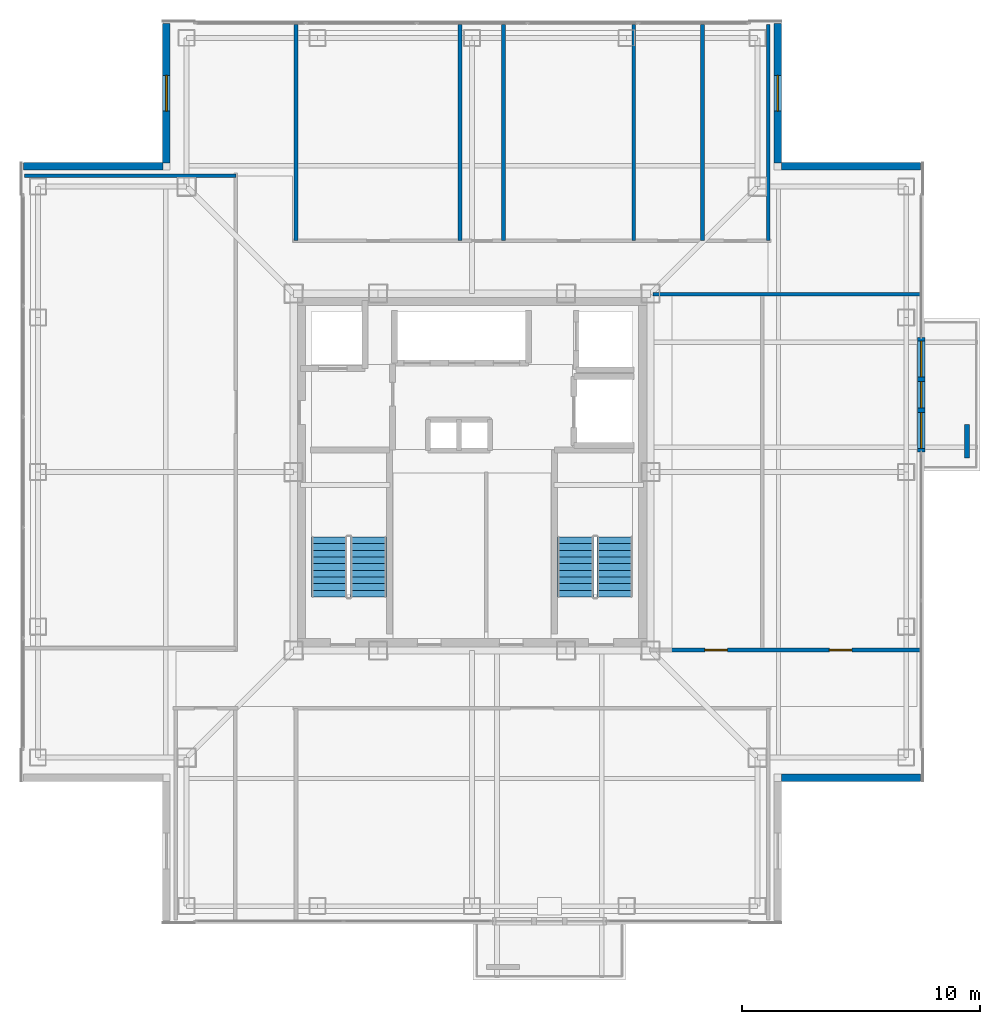
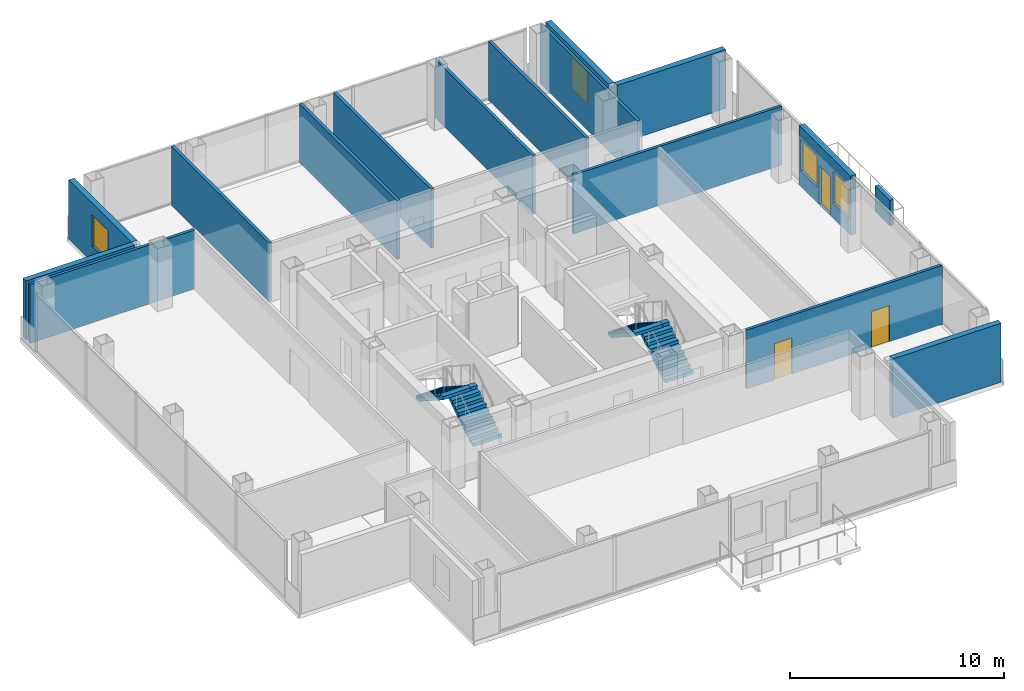
# One storey, part 9 of 15: 16 walls, 4 stair flights, 4 windows, 3 doors, 7 openings, 2 elements without a shape of their own.
"""IFC4 building model written with IfcOpenShell, lengths in metres."""

from ifc_helpers import new_model, si_unit, direction, frame, frame_2d, origin, place, context, subcontext, project, spatial, polyline, rectangle, outline, extrude, material, layer, layer_set, type_object, element, fill, aggregate, save


model = new_model("IFC4")

# Units and contexts
model_context = context("Model", 3, precision=1e-05, world=origin(), true_north=direction((0.0, 1.0)))
body_context = subcontext(model_context, "Body", "Model", "MODEL_VIEW")
ifc_project = project(units=[si_unit("LENGTHUNIT", "METRE"), si_unit("AREAUNIT", "SQUARE_METRE"), si_unit("VOLUMEUNIT", "CUBIC_METRE"), si_unit("PLANEANGLEUNIT", "RADIAN"), si_unit("MASSUNIT", "GRAM", prefix="KILO")], contexts=[model_context])

# Site, building, storey
site_placement = place(None, origin())
site = spatial("IfcSite", under=ifc_project, at=site_placement, CompositionType="ELEMENT")
building_placement = place(site_placement, origin())
building = spatial("IfcBuilding", under=site, at=building_placement, Name="Trevonay Congress Spire", CompositionType="ELEMENT")
storey_placement = place(building_placement, frame((0.0, 0.0, 243.199951171875)))
storey = spatial("IfcBuildingStorey", under=building, at=storey_placement, Name="L63", CompositionType="ELEMENT", Elevation=243.199951171875)

# Wall, openings, doors
ifc_material_1 = material(Name="Concrete C40/50", Category="concrete")
ifc_layer_1 = layer(ifc_material_1, 0.14990234375, Name="Concrete C40/50")
ifc_layer_set_1 = layer_set([ifc_layer_1], Name="Concrete C40/50")
wall_type_1 = type_object("IfcWallType", Name="WAL-CORR-150", PredefinedType="PARTITIONING", material=ifc_layer_set_1)
wall_1_placement = place(storey_placement, frame((8.280029296875, -7.47998046875, 0.0), z_axis=(0.0, 0.0, 1.0), x_axis=(1.0, 0.0, 0.0)))
wall_1 = element("IfcWall", 1, at=wall_1_placement, inside=storey, type_object=wall_type_1, Name="L63 interior wall WP-L63E-COR", PredefinedType="PARTITIONING", context=body_context, shape_type="SweptSolid", body=[
    extrude(rectangle(XDim=10.5400390625, YDim=0.14990234375, at=frame_2d((5.27001953125, 0.0))), origin(), (0.0, 0.0, 1.0), 3.360107421875),
])
opening_1_placement = place(wall_1_placement, frame((1.5048828125, 0.0, 0.0)))
opening_1 = element("IfcOpeningElement", 2, at=opening_1_placement, cuts=wall_1, Name="Opening D07", PredefinedType="OPENING", context=body_context, shape_type="SweptSolid", body=[
    extrude(rectangle(XDim=0.949951171875, YDim=2.06005859375, at=frame_2d((0.47509765625, 1.030029296875))), frame((0.0, 0.0849609375, 0.0), z_axis=(0.0, -1.0, 0.0), x_axis=(1.0, 0.0, 0.0)), (0.0, 0.0, 1.0), 0.169921875),
])
opening_2_placement = place(wall_1_placement, frame((6.735107421875, 0.0, 0.0)))
opening_2 = element("IfcOpeningElement", 3, at=opening_2_placement, cuts=wall_1, Name="Opening D07", PredefinedType="OPENING", context=body_context, shape_type="SweptSolid", body=[
    extrude(rectangle(XDim=0.949951171875, YDim=2.06005859375, at=frame_2d((0.47509765625, 1.030029296875))), frame((0.0, 0.0849609375, 0.0), z_axis=(0.0, -1.0, 0.0), x_axis=(1.0, 0.0, 0.0)), (0.0, 0.0, 1.0), 0.169921875),
])
ifc_material_2 = material(Name="Pale Anodised Aluminium EN AW-6063-T6", Category="aluminium")
door_type_1 = type_object("IfcDoorType", Name="DOR-OFFICE-95", OperationType="NOTDEFINED", PredefinedType="DOOR", material=ifc_material_2)
door_1_placement = place(opening_1_placement, origin())
door_1 = element("IfcDoor", 4, at=door_1_placement, inside=storey, type_object=door_type_1, Name="L63 Executive Study Office Door", OperationType="SINGLE_SWING_RIGHT", OverallHeight=2.06005859375, OverallWidth=0.949951171875, PredefinedType="DOOR", context=body_context, shape_type="SweptSolid", body=[
    extrude(rectangle(XDim=0.949951171875, YDim=2.06005859375, at=frame_2d((0.47509765625, 1.030029296875))), frame((0.0, 0.02490234375, 0.0), z_axis=(0.0, -1.0, 0.0), x_axis=(1.0, 0.0, 0.0)), (0.0, 0.0, 1.0), 0.050048828125),
])
fill(opening_1, door_1)
door_2_placement = place(opening_2_placement, origin())
door_2 = element("IfcDoor", 5, at=door_2_placement, inside=storey, type_object=door_type_1, Name="L63 Catering Pantry Door", OperationType="SINGLE_SWING_LEFT", OverallHeight=2.06005859375, OverallWidth=0.949951171875, PredefinedType="DOOR", context=body_context, shape_type="SweptSolid", body=[
    extrude(rectangle(XDim=0.949951171875, YDim=2.06005859375, at=frame_2d((0.47509765625, 1.030029296875))), frame((0.0, 0.02490234375, 0.0), z_axis=(0.0, -1.0, 0.0), x_axis=(1.0, 0.0, 0.0)), (0.0, 0.0, 1.0), 0.050048828125),
])
fill(opening_2, door_2)

# Wall, openings, door, windows
ifc_material_3 = material(Name="Precast concrete C40/50", Category="concrete")
ifc_layer_2 = layer(ifc_material_3, 0.300048828125, Name="Precast concrete C40/50")
ifc_layer_set_2 = layer_set([ifc_layer_2], Name="Precast concrete C40/50")
wall_type_2 = type_object("IfcWallType", Name="WAL-EXT-PRECAST-300", PredefinedType="SOLIDWALL", material=ifc_layer_set_2)
wall_2_placement = place(storey_placement, frame((18.8798828125, 0.85009765625, 0.0), z_axis=(0.0, 0.0, 1.0), x_axis=(0.0, 1.0, 0.0)))
wall_2 = element("IfcWall", 6, at=wall_2_placement, inside=storey, type_object=wall_type_2, Name="L63 E glazed balcony portal exterior wall", PredefinedType="SOLIDWALL", context=body_context, shape_type="SweptSolid", body=[
    extrude(rectangle(XDim=4.7998046875, YDim=0.300048828125, at=frame_2d((2.39990234375, 0.0))), origin(), (0.0, 0.0, 1.0), 3.360107421875),
])
opening_3_placement = place(wall_2_placement, frame((1.85009765625, 0.0, 0.0)))
opening_3 = element("IfcOpeningElement", 7, at=opening_3_placement, cuts=wall_2, Name="Opening D03", PredefinedType="OPENING", context=body_context, shape_type="SweptSolid", body=[
    extrude(rectangle(XDim=1.10009765625, YDim=2.199951171875, at=frame_2d((0.550048828125, 1.10009765625))), frame((0.0, 0.16015625, 0.0), z_axis=(0.0, -1.0, 0.0), x_axis=(1.0, 0.0, 0.0)), (0.0, 0.0, 1.0), 0.320068359375),
])
opening_4_placement = place(wall_2_placement, frame((0.14990234375, 0.0, 0.85009765625)))
opening_4 = element("IfcOpeningElement", 8, at=opening_4_placement, cuts=wall_2, Name="Opening WN03", PredefinedType="OPENING", context=body_context, shape_type="SweptSolid", body=[
    extrude(rectangle(XDim=1.5, YDim=1.800048828125, at=frame_2d((0.75, 0.89990234375))), frame((0.0, 0.16015625, 0.0), z_axis=(0.0, -1.0, 0.0), x_axis=(1.0, 0.0, 0.0)), (0.0, 0.0, 1.0), 0.320068359375),
])
opening_5_placement = place(wall_2_placement, frame((3.14990234375, 0.0, 0.85009765625)))
opening_5 = element("IfcOpeningElement", 9, at=opening_5_placement, cuts=wall_2, Name="Opening WN03", PredefinedType="OPENING", context=body_context, shape_type="SweptSolid", body=[
    extrude(rectangle(XDim=1.5, YDim=1.800048828125, at=frame_2d((0.75, 0.89990234375))), frame((0.0, 0.16015625, 0.0), z_axis=(0.0, -1.0, 0.0), x_axis=(1.0, 0.0, 0.0)), (0.0, 0.0, 1.0), 0.320068359375),
])
door_type_2 = type_object("IfcDoorType", Name="DOR-EXT-BAL-110", OperationType="NOTDEFINED", PredefinedType="DOOR", material=ifc_material_2)
door_3_placement = place(opening_3_placement, origin())
door_3 = element("IfcDoor", 10, at=door_3_placement, inside=storey, type_object=door_type_2, Name="L63 E glazed outdoor terrace and balcony door", OperationType="SINGLE_SWING_RIGHT", OverallHeight=2.199951171875, OverallWidth=1.10009765625, PredefinedType="DOOR", context=body_context, shape_type="SweptSolid", body=[
    extrude(rectangle(XDim=1.10009765625, YDim=2.199951171875, at=frame_2d((0.550048828125, 1.10009765625))), frame((0.0, 0.02490234375, 0.0), z_axis=(0.0, -1.0, 0.0), x_axis=(1.0, 0.0, 0.0)), (0.0, 0.0, 1.0), 0.050048828125),
])
fill(opening_3, door_3)
ifc_material_4 = material(Name="Insulated Low-E Vision Glass IGU", Category="glass")
window_type = type_object("IfcWindowType", Name="WIN-NOTCH-150X180", PartitioningType="SINGLE_PANEL", PredefinedType="WINDOW", material=ifc_material_4)
window_1_placement = place(opening_4_placement, origin())
window_1 = element("IfcWindow", 11, at=window_1_placement, inside=storey, type_object=window_type, Name="L63 E balcony sidelight window L", OverallHeight=1.800048828125, OverallWidth=1.5, PartitioningType="SINGLE_PANEL", PredefinedType="WINDOW", context=body_context, shape_type="SweptSolid", body=[
    extrude(rectangle(XDim=1.5, YDim=1.800048828125, at=frame_2d((0.75, 0.89990234375))), frame((0.0, 0.030029296875, 0.0), z_axis=(0.0, -1.0, 0.0), x_axis=(1.0, 0.0, 0.0)), (0.0, 0.0, 1.0), 0.06005859375),
])
fill(opening_4, window_1)
window_2_placement = place(opening_5_placement, origin())
window_2 = element("IfcWindow", 12, at=window_2_placement, inside=storey, type_object=window_type, Name="L63 E balcony sidelight window R", OverallHeight=1.800048828125, OverallWidth=1.5, PartitioningType="SINGLE_PANEL", PredefinedType="WINDOW", context=body_context, shape_type="SweptSolid", body=[
    extrude(rectangle(XDim=1.5, YDim=1.800048828125, at=frame_2d((0.75, 0.89990234375))), frame((0.0, 0.030029296875, 0.0), z_axis=(0.0, -1.0, 0.0), x_axis=(1.0, 0.0, 0.0)), (0.0, 0.0, 1.0), 0.06005859375),
])
fill(opening_5, window_2)

# Wall
wall_3_placement = place(storey_placement, frame((18.85009765625, -12.85009765625, 0.0), z_axis=(0.0, 0.0, 1.0), x_axis=(-1.0, 0.0, 0.0)))
element("IfcWall", 13, at=wall_3_placement, inside=storey, type_object=wall_type_2, Name="L63 SE re-entrant notch exterior wall 2", PredefinedType="SOLIDWALL", context=body_context, shape_type="SweptSolid", body=[
    extrude(rectangle(XDim=5.85009765625, YDim=0.300048828125, at=frame_2d((2.925048828125, 0.0))), origin(), (0.0, 0.0, 1.0), 3.360107421875),
])

# Wall, opening, window
wall_4_placement = place(storey_placement, frame((12.85009765625, 18.85009765625, 0.0), z_axis=(0.0, 0.0, 1.0), x_axis=(0.0, -1.0, 0.0)))
wall_4 = element("IfcWall", 14, at=wall_4_placement, inside=storey, type_object=wall_type_2, Name="L63 NE re-entrant notch exterior wall 1", PredefinedType="SOLIDWALL", context=body_context, shape_type="SweptSolid", body=[
    extrude(rectangle(XDim=5.85009765625, YDim=0.300048828125, at=frame_2d((2.925048828125, 0.0))), origin(), (0.0, 0.0, 1.0), 3.360107421875),
])
opening_6_placement = place(wall_4_placement, frame((2.175048828125, 0.0, 0.89990234375)))
opening_6 = element("IfcOpeningElement", 15, at=opening_6_placement, cuts=wall_4, Name="Opening WN03", PredefinedType="OPENING", context=body_context, shape_type="SweptSolid", body=[
    extrude(rectangle(XDim=1.5, YDim=1.800048828125, at=frame_2d((0.75, 0.89990234375))), frame((0.0, 0.16015625, 0.0), z_axis=(0.0, -1.0, 0.0), x_axis=(1.0, 0.0, 0.0)), (0.0, 0.0, 1.0), 0.320068359375),
])
window_3_placement = place(opening_6_placement, origin())
window_3 = element("IfcWindow", 16, at=window_3_placement, inside=storey, type_object=window_type, Name="L63 NE corner notch window", OverallHeight=1.800048828125, OverallWidth=1.5, PartitioningType="SINGLE_PANEL", PredefinedType="WINDOW", context=body_context, shape_type="SweptSolid", body=[
    extrude(rectangle(XDim=1.5, YDim=1.800048828125, at=frame_2d((0.75, 0.89990234375))), frame((0.0, 0.030029296875, 0.0), z_axis=(0.0, -1.0, 0.0), x_axis=(1.0, 0.0, 0.0)), (0.0, 0.0, 1.0), 0.06005859375),
])
fill(opening_6, window_3)

# Wall
wall_5_placement = place(storey_placement, frame((18.85009765625, 12.85009765625, 0.0), z_axis=(0.0, 0.0, 1.0), x_axis=(-1.0, 0.0, 0.0)))
element("IfcWall", 17, at=wall_5_placement, inside=storey, type_object=wall_type_2, Name="L63 NE re-entrant notch exterior wall 2", PredefinedType="SOLIDWALL", context=body_context, shape_type="SweptSolid", body=[
    extrude(rectangle(XDim=5.85009765625, YDim=0.300048828125, at=frame_2d((2.925048828125, 0.0))), origin(), (0.0, 0.0, 1.0), 3.360107421875),
])

# Wall, opening, window
wall_6_placement = place(storey_placement, frame((-12.85009765625, 18.85009765625, 0.0), z_axis=(0.0, 0.0, 1.0), x_axis=(0.0, -1.0, 0.0)))
wall_6 = element("IfcWall", 18, at=wall_6_placement, inside=storey, type_object=wall_type_2, Name="L63 NW re-entrant notch exterior wall 1", PredefinedType="SOLIDWALL", context=body_context, shape_type="SweptSolid", body=[
    extrude(rectangle(XDim=5.85009765625, YDim=0.300048828125, at=frame_2d((2.925048828125, 0.0))), origin(), (0.0, 0.0, 1.0), 3.360107421875),
])
opening_7_placement = place(wall_6_placement, frame((2.175048828125, 0.0, 0.89990234375)))
opening_7 = element("IfcOpeningElement", 19, at=opening_7_placement, cuts=wall_6, Name="Opening WN03", PredefinedType="OPENING", context=body_context, shape_type="SweptSolid", body=[
    extrude(rectangle(XDim=1.5, YDim=1.800048828125, at=frame_2d((0.75, 0.89990234375))), frame((0.0, 0.16015625, 0.0), z_axis=(0.0, -1.0, 0.0), x_axis=(1.0, 0.0, 0.0)), (0.0, 0.0, 1.0), 0.320068359375),
])
window_4_placement = place(opening_7_placement, origin())
window_4 = element("IfcWindow", 20, at=window_4_placement, inside=storey, type_object=window_type, Name="L63 NW corner notch window", OverallHeight=1.800048828125, OverallWidth=1.5, PartitioningType="SINGLE_PANEL", PredefinedType="WINDOW", context=body_context, shape_type="SweptSolid", body=[
    extrude(rectangle(XDim=1.5, YDim=1.800048828125, at=frame_2d((0.75, 0.89990234375))), frame((0.0, 0.030029296875, 0.0), z_axis=(0.0, -1.0, 0.0), x_axis=(1.0, 0.0, 0.0)), (0.0, 0.0, 1.0), 0.06005859375),
])
fill(opening_7, window_4)

# Walls
wall_7_placement = place(storey_placement, frame((-18.85009765625, 12.85009765625, 0.0), z_axis=(0.0, 0.0, 1.0), x_axis=(1.0, 0.0, 0.0)))
element("IfcWall", 21, at=wall_7_placement, inside=storey, type_object=wall_type_2, Name="L63 NW re-entrant notch exterior wall 2", PredefinedType="SOLIDWALL", context=body_context, shape_type="SweptSolid", body=[
    extrude(rectangle(XDim=5.85009765625, YDim=0.300048828125, at=frame_2d((2.925048828125, 0.0))), origin(), (0.0, 0.0, 1.0), 3.360107421875),
])
ifc_layer_3 = layer(ifc_material_1, 0.14990234375, Name="Concrete C40/50")
ifc_layer_set_3 = layer_set([ifc_layer_3], Name="Concrete C40/50")
wall_type_3 = type_object("IfcWallType", Name="WAL-PART-150", PredefinedType="PARTITIONING", material=ifc_layer_set_3)
wall_8_placement = place(storey_placement, frame((-18.820068359375, 12.449951171875, 0.0), z_axis=(0.0, 0.0, 1.0), x_axis=(1.0, 0.0, 0.0)))
element("IfcWall", 22, at=wall_8_placement, inside=storey, type_object=wall_type_3, Name="L63 interior wall WP-L63NW-DIV2", PredefinedType="PARTITIONING", context=body_context, shape_type="SweptSolid", body=[
    extrude(rectangle(XDim=8.89013671875, YDim=0.14990234375, at=frame_2d((4.445068359375, 0.0))), origin(), (0.0, 0.0, 1.0), 3.360107421875),
])
for number, where, z_axis, x_axis, name in (
    (23, (6.800048828125, 9.72998046875, 0.0), (0.0, 0.0, 1.0), (0.0, 1.0, 0.0), "L63 interior wall WP-L63N-DIV3"),
    (24, (12.449951171875, 9.72998046875, 0.0), (0.0, 0.0, 1.0), (0.0, 1.0, 0.0), "L63 interior wall WP-L63N-DIV4"),
):
    element("IfcWall", number, at=place(storey_placement, frame(where, z_axis=z_axis, x_axis=x_axis)), inside=storey, type_object=wall_type_3, Name=name, PredefinedType="PARTITIONING", context=body_context, shape_type="SweptSolid", body=[
        extrude(rectangle(XDim=9.090087890625, YDim=0.14990234375, at=frame_2d((4.544921875, 0.0))), origin(), (0.0, 0.0, 1.0), 3.360107421875),
    ])
wall_9_placement = place(storey_placement, frame((7.60009765625, 7.47998046875, 0.0), z_axis=(0.0, 0.0, 1.0), x_axis=(1.0, 0.0, 0.0)))
element("IfcWall", 25, at=wall_9_placement, inside=storey, type_object=wall_type_3, Name="L63 interior wall WP-L63E-NCLS", PredefinedType="PARTITIONING", context=body_context, shape_type="SweptSolid", body=[
    extrude(rectangle(XDim=11.219970703125, YDim=0.14990234375, at=frame_2d((5.60986328125, 0.0))), origin(), (0.0, 0.0, 1.0), 3.360107421875),
])
ifc_layer_4 = layer(ifc_material_3, 0.199951171875, Name="Precast concrete C40/50")
ifc_layer_set_4 = layer_set([ifc_layer_4], Name="Precast concrete C40/50")
wall_type_4 = type_object("IfcWallType", Name="WAL-TREE-PLANTER-200", PredefinedType="PARAPET", material=ifc_layer_set_4)
wall_10_placement = place(storey_placement, frame((20.800048828125, 0.60009765625, 0.0), z_axis=(0.0, 0.0, 1.0), x_axis=(0.0, 1.0, 0.0)))
element("IfcWall", 26, at=wall_10_placement, inside=storey, type_object=wall_type_4, Name="L63 E cantilevered balcony tree planter box", PredefinedType="PARAPET", context=body_context, shape_type="SweptSolid", body=[
    extrude(rectangle(XDim=1.39990234375, YDim=0.199951171875, at=frame_2d((0.699951171875, 0.0))), origin(), (0.0, 0.0, 1.0), 1.449951171875),
])
ifc_layer_5 = layer(ifc_material_1, 0.1650390625, Name="Concrete C40/50")
ifc_layer_set_5 = layer_set([ifc_layer_5], Name="Concrete C40/50")
wall_type_5 = type_object("IfcWallType", Name="WAL-WET-165", PredefinedType="PLUMBINGWALL", material=ifc_layer_set_5)
for number, where, z_axis, x_axis, name in (
    (27, (1.330078125, 9.72998046875, 0.0), (0.0, 0.0, 1.0), (0.0, 1.0, 0.0), "L63 interior wall WP-L63N-WCS2"),
    (28, (9.679931640625, 9.72998046875, 0.0), (0.0, 0.0, 1.0), (0.0, 1.0, 0.0), "L63 interior wall WP-L63N-WCS3"),
    (29, (-7.39990234375, 9.72998046875, 0.0), (0.0, 0.0, 1.0), (0.0, 1.0, 0.0), "L63 interior wall WP-L63N-DIV1"),
    (30, (-0.5, 9.72998046875, 0.0), (0.0, 0.0, 1.0), (0.0, 1.0, 0.0), "L63 interior wall WP-L63N-DIV2"),
):
    element("IfcWall", number, at=place(storey_placement, frame(where, z_axis=z_axis, x_axis=x_axis)), inside=storey, type_object=wall_type_5, Name=name, PredefinedType="PLUMBINGWALL", context=body_context, shape_type="SweptSolid", body=[
        extrude(rectangle(XDim=9.090087890625, YDim=0.1650390625, at=frame_2d((4.544921875, 0.0))), origin(), (0.0, 0.0, 1.0), 3.360107421875),
    ])

# Stair, stair flights
stair_type_1 = type_object("IfcStairType", Name="STR-ST-1", PredefinedType="HALF_TURN_STAIR", material=ifc_material_1)
stair_1_placement = place(storey_placement, origin())
stair_1 = element("IfcStair", 31, at=stair_1_placement, inside=storey, type_object=stair_type_1, Name="L63 Protected Exit Stair ST-1", PredefinedType="HALF_TURN_STAIR")
stair_flight_type_1 = type_object("IfcStairFlightType", Name="SFL-ST-1", PredefinedType="STRAIGHT", material=ifc_material_1)
stair_flight_1_placement = place(storey_placement, frame((-4.35009765625, -5.25, 0.0), z_axis=(0.0, 0.0, 1.0), x_axis=(0.0, 1.0, 0.0)))
stair_flight_1 = element("IfcStairFlight", 32, at=stair_flight_1_placement, type_object=stair_flight_type_1, Name="ST-1 flight 1", NumberOfRisers=10, NumberOfTreads=9, PredefinedType="STRAIGHT", RiserHeight=0.18, TreadLength=0.28, context=body_context, shape_type="SweptSolid", body=[
    extrude(outline(polyline([(0.0, 0.0), (0.0, 0.179931640625), (0.280029296875, 0.179931640625), (0.280029296875, 0.360107421875), (0.56005859375, 0.360107421875), (0.56005859375, 0.5400390625), (0.840087890625, 0.5400390625), (0.840087890625, 0.719970703125), (1.1201171875, 0.719970703125), (1.1201171875, 0.89990234375), (1.39990234375, 0.89990234375), (1.39990234375, 1.080078125), (1.679931640625, 1.080078125), (1.679931640625, 1.260009765625), (1.9599609375, 1.260009765625), (1.9599609375, 1.43994140625), (2.239990234375, 1.43994140625), (2.239990234375, 1.6201171875), (2.52001953125, 1.6201171875), (2.52001953125, 1.800048828125), (2.52001953125, 1.44189453125), (0.277099609375, 0.0), (0.0, 0.0)])), frame((0.0, 0.75, 0.0), z_axis=(0.0, -1.0, 0.0), x_axis=(1.0, 0.0, 0.0)), (0.0, 0.0, 1.0), 1.5),
])
stair_flight_2_placement = place(storey_placement, frame((-6.0, -2.72998046875, 1.800048828125), z_axis=(0.0, 0.0, 1.0), x_axis=(0.0, -1.0, 0.0)))
stair_flight_2 = element("IfcStairFlight", 33, at=stair_flight_2_placement, type_object=stair_flight_type_1, Name="ST-1 flight 2", NumberOfRisers=10, NumberOfTreads=9, PredefinedType="STRAIGHT", RiserHeight=0.18, TreadLength=0.28, context=body_context, shape_type="SweptSolid", body=[
    extrude(outline(polyline([(0.0, 0.0), (0.0, 0.179931640625), (0.280029296875, 0.179931640625), (0.280029296875, 0.360107421875), (0.56005859375, 0.360107421875), (0.56005859375, 0.5400390625), (0.840087890625, 0.5400390625), (0.840087890625, 0.719970703125), (1.1201171875, 0.719970703125), (1.1201171875, 0.89990234375), (1.39990234375, 0.89990234375), (1.39990234375, 1.080078125), (1.679931640625, 1.080078125), (1.679931640625, 1.260009765625), (1.9599609375, 1.260009765625), (1.9599609375, 1.43994140625), (2.239990234375, 1.43994140625), (2.239990234375, 1.6201171875), (2.52001953125, 1.6201171875), (2.52001953125, 1.800048828125), (2.52001953125, 1.44189453125), (0.277099609375, 0.0), (0.0, 0.0)])), frame((0.0, 0.75, 0.0), z_axis=(0.0, -1.0, 0.0), x_axis=(1.0, 0.0, 0.0)), (0.0, 0.0, 1.0), 1.5),
])
aggregate(stair_1, [stair_flight_1, stair_flight_2])

stair_type_2 = type_object("IfcStairType", Name="STR-ST-2", PredefinedType="HALF_TURN_STAIR", material=ifc_material_1)
stair_2_placement = place(storey_placement, origin())
stair_2 = element("IfcStair", 34, at=stair_2_placement, inside=storey, type_object=stair_type_2, Name="L63 Protected Exit Stair ST-2", PredefinedType="HALF_TURN_STAIR")
stair_flight_type_2 = type_object("IfcStairFlightType", Name="SFL-ST-2", PredefinedType="STRAIGHT", material=ifc_material_1)
stair_flight_3_placement = place(storey_placement, frame((6.0, -5.25, 0.0), z_axis=(0.0, 0.0, 1.0), x_axis=(0.0, 1.0, 0.0)))
stair_flight_3 = element("IfcStairFlight", 35, at=stair_flight_3_placement, type_object=stair_flight_type_2, Name="ST-2 flight 1", NumberOfRisers=10, NumberOfTreads=9, PredefinedType="STRAIGHT", RiserHeight=0.18, TreadLength=0.28, context=body_context, shape_type="SweptSolid", body=[
    extrude(outline(polyline([(0.0, 0.0), (0.0, 0.179931640625), (0.280029296875, 0.179931640625), (0.280029296875, 0.360107421875), (0.56005859375, 0.360107421875), (0.56005859375, 0.5400390625), (0.840087890625, 0.5400390625), (0.840087890625, 0.719970703125), (1.1201171875, 0.719970703125), (1.1201171875, 0.89990234375), (1.39990234375, 0.89990234375), (1.39990234375, 1.080078125), (1.679931640625, 1.080078125), (1.679931640625, 1.260009765625), (1.9599609375, 1.260009765625), (1.9599609375, 1.43994140625), (2.239990234375, 1.43994140625), (2.239990234375, 1.6201171875), (2.52001953125, 1.6201171875), (2.52001953125, 1.800048828125), (2.52001953125, 1.44189453125), (0.277099609375, 0.0), (0.0, 0.0)])), frame((0.0, 0.75, 0.0), z_axis=(0.0, -1.0, 0.0), x_axis=(1.0, 0.0, 0.0)), (0.0, 0.0, 1.0), 1.5),
])
stair_flight_4_placement = place(storey_placement, frame((4.35009765625, -2.72998046875, 1.800048828125), z_axis=(0.0, 0.0, 1.0), x_axis=(0.0, -1.0, 0.0)))
stair_flight_4 = element("IfcStairFlight", 36, at=stair_flight_4_placement, type_object=stair_flight_type_2, Name="ST-2 flight 2", NumberOfRisers=10, NumberOfTreads=9, PredefinedType="STRAIGHT", RiserHeight=0.18, TreadLength=0.28, context=body_context, shape_type="SweptSolid", body=[
    extrude(outline(polyline([(0.0, 0.0), (0.0, 0.179931640625), (0.280029296875, 0.179931640625), (0.280029296875, 0.360107421875), (0.56005859375, 0.360107421875), (0.56005859375, 0.5400390625), (0.840087890625, 0.5400390625), (0.840087890625, 0.719970703125), (1.1201171875, 0.719970703125), (1.1201171875, 0.89990234375), (1.39990234375, 0.89990234375), (1.39990234375, 1.080078125), (1.679931640625, 1.080078125), (1.679931640625, 1.260009765625), (1.9599609375, 1.260009765625), (1.9599609375, 1.43994140625), (2.239990234375, 1.43994140625), (2.239990234375, 1.6201171875), (2.52001953125, 1.6201171875), (2.52001953125, 1.800048828125), (2.52001953125, 1.44189453125), (0.277099609375, 0.0), (0.0, 0.0)])), frame((0.0, 0.75, 0.0), z_axis=(0.0, -1.0, 0.0), x_axis=(1.0, 0.0, 0.0)), (0.0, 0.0, 1.0), 1.5),
])
aggregate(stair_2, [stair_flight_3, stair_flight_4])

save(model, "model.ifc")
